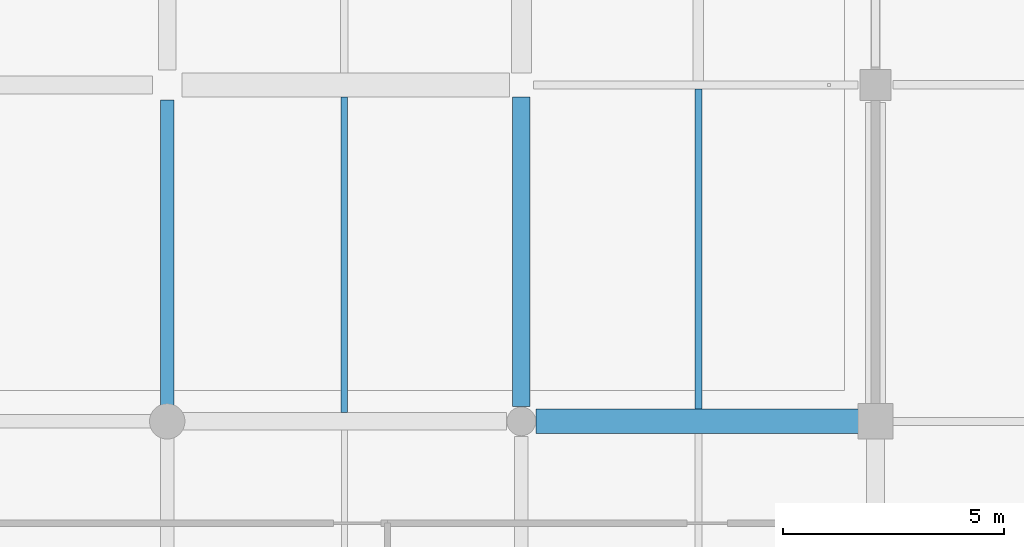
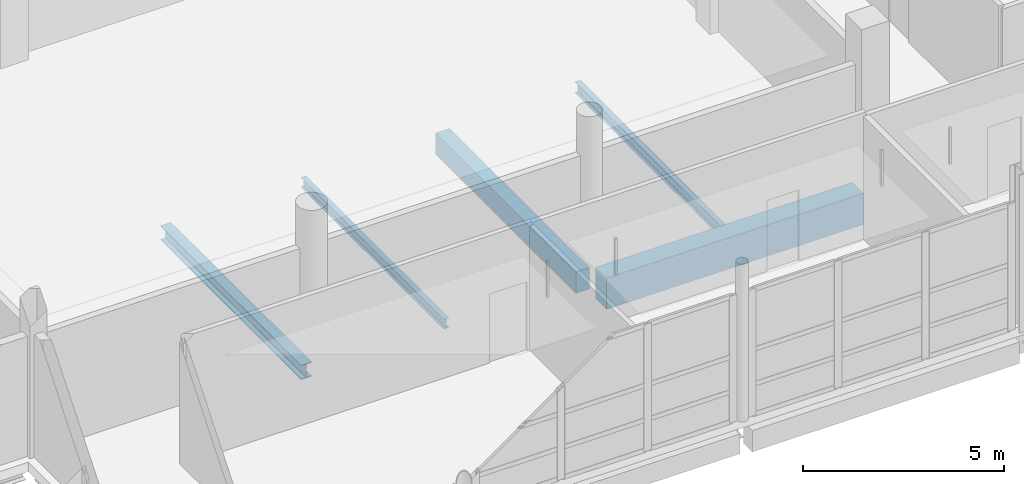
# One storey, part 51 of 141: 5 beams.
"""IFC4 building model written with IfcOpenShell, lengths in metres."""

from ifc_helpers import new_model, si_unit, direction, frame, origin, origin_2d, place, context, subcontext, project, spatial, rectangle, i_section, extrude, material, material_profile, profile_set, type_object, element, save


model = new_model("IFC4")

# Units and contexts
model_context = context("Model", 3, precision=1e-05, world=origin(), true_north=direction((0.0, 1.0)))
body_context = subcontext(model_context, "Body", "Model", "MODEL_VIEW")
ifc_project = project(units=[si_unit("LENGTHUNIT", "METRE"), si_unit("AREAUNIT", "SQUARE_METRE"), si_unit("VOLUMEUNIT", "CUBIC_METRE"), si_unit("PLANEANGLEUNIT", "RADIAN"), si_unit("MASSUNIT", "GRAM", prefix="KILO")], contexts=[model_context])

# Site, building, storey
site_placement = place(None, origin())
site = spatial("IfcSite", under=ifc_project, at=site_placement, CompositionType="ELEMENT")
building_placement = place(site_placement, origin())
building = spatial("IfcBuilding", under=site, at=building_placement, Name="Khelvaren Railside Concert Hall", CompositionType="ELEMENT")
storey_placement = place(building_placement, frame((0.0, 0.0, 10.199951171875)))
storey = spatial("IfcBuildingStorey", under=building, at=storey_placement, Name="L02", CompositionType="ELEMENT", Elevation=10.199951171875)

# Beams
ifc_material_1 = material(Name="Concrete C40/50", Category="concrete")
ifc_material_profile_1 = material_profile(ifc_material_1, rectangle(XDim=0.39990234375, YDim=0.64990234375, at=origin_2d()), Name="RCB 400x650")
ifc_profile_set_1 = profile_set([ifc_material_profile_1], Name="Concrete C40/50")
beam_type_1 = type_object("IfcBeamType", Name="BM33", PredefinedType="BEAM", material=ifc_profile_set_1)
beam_1_placement = place(storey_placement, frame((168.0, 7.93603515625, -0.614990234375), z_axis=(0.0, 1.0, 0.0), x_axis=(-1.0, 0.0, 0.0)))
element("IfcBeam", 1, at=beam_1_placement, inside=storey, type_object=beam_type_1, Name="V2 L02 Beam Y4.2", PredefinedType="BEAM", context=body_context, shape_type="SweptSolid", body=[
    extrude(rectangle(XDim=0.39990234375, YDim=0.64990234375, at=origin_2d()), origin(), (0.0, 0.0, 1.0), 6.990966796875),
])
ifc_material_2 = material(Name="Steel S355", Category="steel")
ifc_material_profile_2 = material_profile(ifc_material_2, i_section(OverallWidth=0.300048828125, OverallDepth=0.43994140625, WebThickness=0.011474609375, FlangeThickness=0.02099609375, FilletRadius=0.027099609375, at=origin_2d()), Name="HEA 450")
ifc_profile_set_2 = profile_set([ifc_material_profile_2], Name="Steel S355")
beam_type_2 = type_object("IfcBeamType", Name="BM89", PredefinedType="BEAM", material=ifc_profile_set_2)
beam_2_placement = place(storey_placement, frame((160.0, 7.85009765625, -0.510009765625), z_axis=(0.0, 1.0, 0.0), x_axis=(-1.0, 0.0, 0.0)))
element("IfcBeam", 2, at=beam_2_placement, inside=storey, type_object=beam_type_2, Name="V2 L02 Beam Y3.2", PredefinedType="BEAM", context=body_context, shape_type="SweptSolid", body=[
    extrude(i_section(OverallWidth=0.300048828125, OverallDepth=0.43994140625, WebThickness=0.011474609375, FlangeThickness=0.02099609375, FilletRadius=0.027099609375, at=origin_2d()), origin(), (0.0, 0.0, 1.0), 7.013916015625),
])
ifc_material_profile_3 = material_profile(ifc_material_1, rectangle(XDim=0.550048828125, YDim=0.949951171875, at=origin_2d()), Name="RCB 550x950")
ifc_profile_set_3 = profile_set([ifc_material_profile_3], Name="Concrete C40/50")
beam_type_3 = type_object("IfcBeamType", Name="GR57", PredefinedType="T_BEAM", material=ifc_profile_set_3)
beam_3_placement = place(storey_placement, frame((168.3359375, 7.60009765625, -0.764892578125), z_axis=(1.0, 0.0, 0.0), x_axis=(0.0, 1.0, 0.0)))
element("IfcBeam", 3, at=beam_3_placement, inside=storey, type_object=beam_type_3, Name="V2 L02 T_Beam X2.4", PredefinedType="T_BEAM", context=body_context, shape_type="SweptSolid", body=[
    extrude(rectangle(XDim=0.550048828125, YDim=0.949951171875, at=origin_2d()), origin(), (0.0, 0.0, 1.0), 7.39111328125),
])
ifc_material_profile_4 = material_profile(ifc_material_2, i_section(OverallWidth=0.14990234375, OverallDepth=0.300048828125, WebThickness=0.007080078125, FlangeThickness=0.0107421875, FilletRadius=0.014892578125, at=origin_2d()), Name="IPE 300")
ifc_profile_set_4 = profile_set([ifc_material_profile_4], Name="Steel S355")
beam_type_4 = type_object("IfcBeamType", Name="JS26", PredefinedType="JOIST", material=ifc_profile_set_4)
beam_4_placement = place(storey_placement, frame((164.0, 7.800048828125, -0.43994140625), z_axis=(0.0, 1.0, 0.0), x_axis=(-1.0, 0.0, 0.0)))
element("IfcBeam", 4, at=beam_4_placement, inside=storey, type_object=beam_type_4, Name="V2 L02 Secondary Joist 3.2", PredefinedType="JOIST", context=body_context, shape_type="SweptSolid", body=[
    extrude(i_section(OverallWidth=0.14990234375, OverallDepth=0.300048828125, WebThickness=0.007080078125, FlangeThickness=0.0107421875, FilletRadius=0.014892578125, at=origin_2d()), origin(), (0.0, 0.0, 1.0), 7.125),
])
ifc_material_profile_5 = material_profile(ifc_material_2, i_section(OverallWidth=0.159912109375, OverallDepth=0.330078125, WebThickness=0.007568359375, FlangeThickness=0.011474609375, FilletRadius=0.01806640625, at=origin_2d()), Name="IPE 330")
ifc_profile_set_5 = profile_set([ifc_material_profile_5], Name="Steel S355")
beam_type_5 = type_object("IfcBeamType", Name="JS65", PredefinedType="JOIST", material=ifc_profile_set_5)
beam_5_placement = place(storey_placement, frame((172.0, 7.875, -0.454833984375), z_axis=(0.0, 1.0, 0.0), x_axis=(-1.0, 0.0, 0.0)))
element("IfcBeam", 5, at=beam_5_placement, inside=storey, type_object=beam_type_5, Name="V2 L02 Secondary Joist 4.2", PredefinedType="JOIST", context=body_context, shape_type="SweptSolid", body=[
    extrude(i_section(OverallWidth=0.159912109375, OverallDepth=0.330078125, WebThickness=0.007568359375, FlangeThickness=0.011474609375, FilletRadius=0.01806640625, at=origin_2d()), origin(), (0.0, 0.0, 1.0), 7.235107421875),
])

save(model, "model.ifc")
